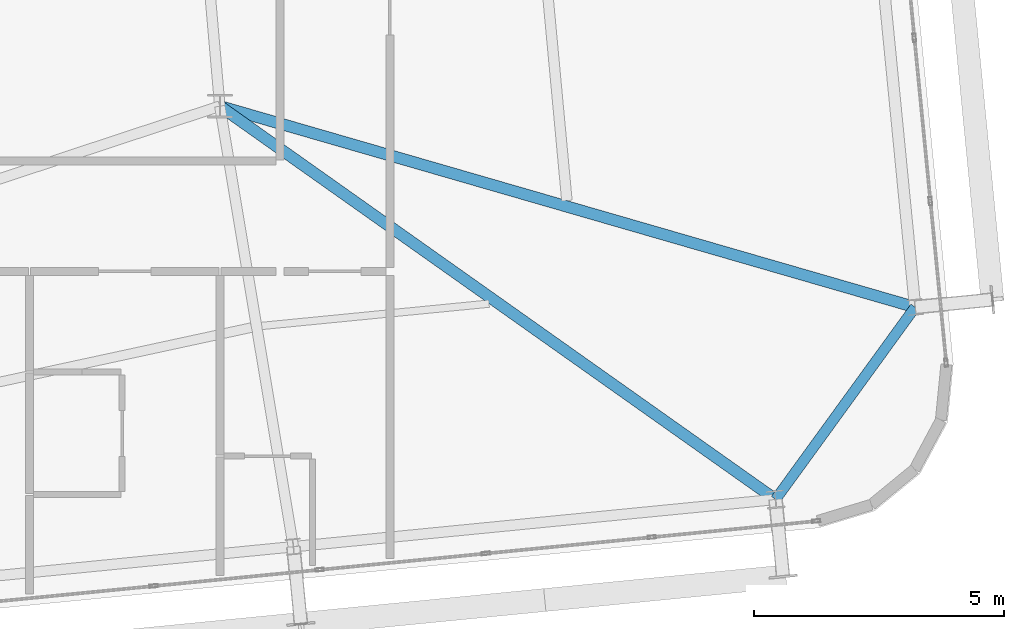
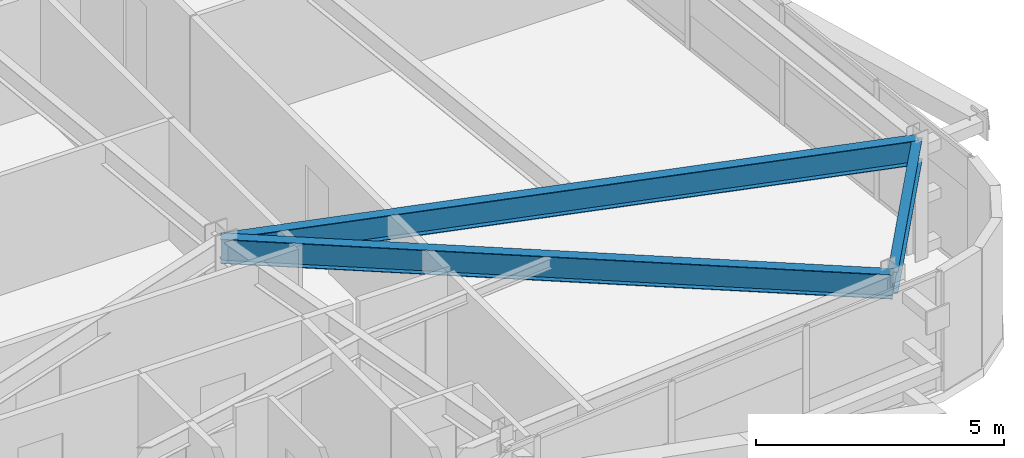
# One storey, part 21 of 54: 3 beams.
"""IFC4 building model written with IfcOpenShell, lengths in metres."""

from ifc_helpers import new_model, si_unit, direction, frame, origin, origin_2d, place, context, subcontext, project, spatial, i_section, extrude, source, transform, mapped, material, material_profile, profile_set, type_object, element, save


model = new_model("IFC4")

# Units and contexts
model_context = context("Model", 3, precision=1e-05, world=origin(), true_north=direction((0.0, 1.0)))
body_context = subcontext(model_context, "Body", "Model", "MODEL_VIEW")
ifc_project = project(units=[si_unit("LENGTHUNIT", "METRE"), si_unit("AREAUNIT", "SQUARE_METRE"), si_unit("VOLUMEUNIT", "CUBIC_METRE"), si_unit("PLANEANGLEUNIT", "RADIAN"), si_unit("MASSUNIT", "GRAM", prefix="KILO")], contexts=[model_context])

# Site, building, storey
site_placement = place(None, origin())
site = spatial("IfcSite", under=ifc_project, at=site_placement, CompositionType="ELEMENT")
building_placement = place(site_placement, origin())
building = spatial("IfcBuilding", under=site, at=building_placement, Name="Taldren Reach Tower", CompositionType="ELEMENT")
storey_placement = place(building_placement, frame((0.0, 0.0, 102.89990234375)))
storey = spatial("IfcBuildingStorey", under=building, at=storey_placement, Name="L31", CompositionType="ELEMENT", Elevation=102.89990234375)

# Beams
ifc_material = material(Name="Steel Gr 350 (350PLUS)", Category="steel")
ifc_material_profile_1 = material_profile(ifc_material, i_section(OverallWidth=0.208984375, OverallDepth=0.528076171875, WebThickness=0.009521484375, FlangeThickness=0.01318359375, at=origin_2d()), Name="530UB82.0")
ifc_profile_set_1 = profile_set([ifc_material_profile_1], Name="Steel Gr 350 (350PLUS)")
beam_type_1 = type_object("IfcBeamType", Name="SP-UB530B", PredefinedType="SPANDREL", material=ifc_profile_set_1)
shared_shape_1 = source(origin(), body_context, "Body", "SweptSolid", [
    extrude(i_section(OverallWidth=0.208984375, OverallDepth=0.528076171875, WebThickness=0.009521484375, FlangeThickness=0.01318359375, at=origin_2d()), origin(), (0.0, 0.0, 1.0), 4.74609375),
])
beam_1_placement = place(storey_placement, frame((63.103271484375, 4.64306640625, 2.666015625), z_axis=(0.58750777154, 0.809218523255, 0.0), x_axis=(-0.809218523255, 0.58750777154, 0.0)))
element("IfcBeam", 1, at=beam_1_placement, inside=storey, type_object=beam_type_1, Name="Perimeter spandrel B2 S6-E1 L31", PredefinedType="SPANDREL", context=body_context, shape_type="MappedRepresentation", body=[
    mapped(shared_shape_1, transform((0.0, 0.0, 0.0), scale=1.0)),
])
ifc_material_profile_2 = material_profile(ifc_material, i_section(OverallWidth=0.22802734375, OverallDepth=0.60205078125, WebThickness=0.010498046875, FlangeThickness=0.014892578125, at=origin_2d()), Name="610UB101")
ifc_profile_set_2 = profile_set([ifc_material_profile_2], Name="Steel Gr 350 (350PLUS)")
beam_type_2 = type_object("IfcBeamType", Name="BM-UB610B", PredefinedType="BEAM", material=ifc_profile_set_2)
shared_shape_2 = source(origin(), body_context, "Body", "SweptSolid", [
    extrude(i_section(OverallWidth=0.22802734375, OverallDepth=0.60205078125, WebThickness=0.010498046875, FlangeThickness=0.014892578125, at=origin_2d()), origin(), (0.0, 0.0, 1.0), 13.60205078125),
])
beam_2_placement = place(storey_placement, frame((52.0, 12.5, 2.629150390625), z_axis=(0.816297773281, -0.577631323022, 0.0), x_axis=(0.577631323022, 0.816297773281, 0.0)))
element("IfcBeam", 2, at=beam_2_placement, inside=storey, type_object=beam_type_2, Name="Primary floor girder B2-S6 L31", PredefinedType="BEAM", context=body_context, shape_type="MappedRepresentation", body=[
    mapped(shared_shape_2, transform((0.0, 0.0, 0.0), scale=1.0)),
])
shared_shape_3 = source(origin(), body_context, "Body", "SweptSolid", [
    extrude(i_section(OverallWidth=0.22802734375, OverallDepth=0.60205078125, WebThickness=0.010498046875, FlangeThickness=0.014892578125, at=origin_2d()), origin(), (0.0, 0.0, 1.0), 14.46044921875),
])
beam_3_placement = place(storey_placement, frame((52.0, 12.5, 2.629150390625), z_axis=(0.960654638583, -0.277745684698, 0.0), x_axis=(0.277745684698, 0.960654638583, 0.0)))
element("IfcBeam", 3, at=beam_3_placement, inside=storey, type_object=beam_type_2, Name="Primary floor girder B2-E1 L31", PredefinedType="BEAM", context=body_context, shape_type="MappedRepresentation", body=[
    mapped(shared_shape_3, transform((0.0, 0.0, 0.0), scale=1.0)),
])

save(model, "model.ifc")
